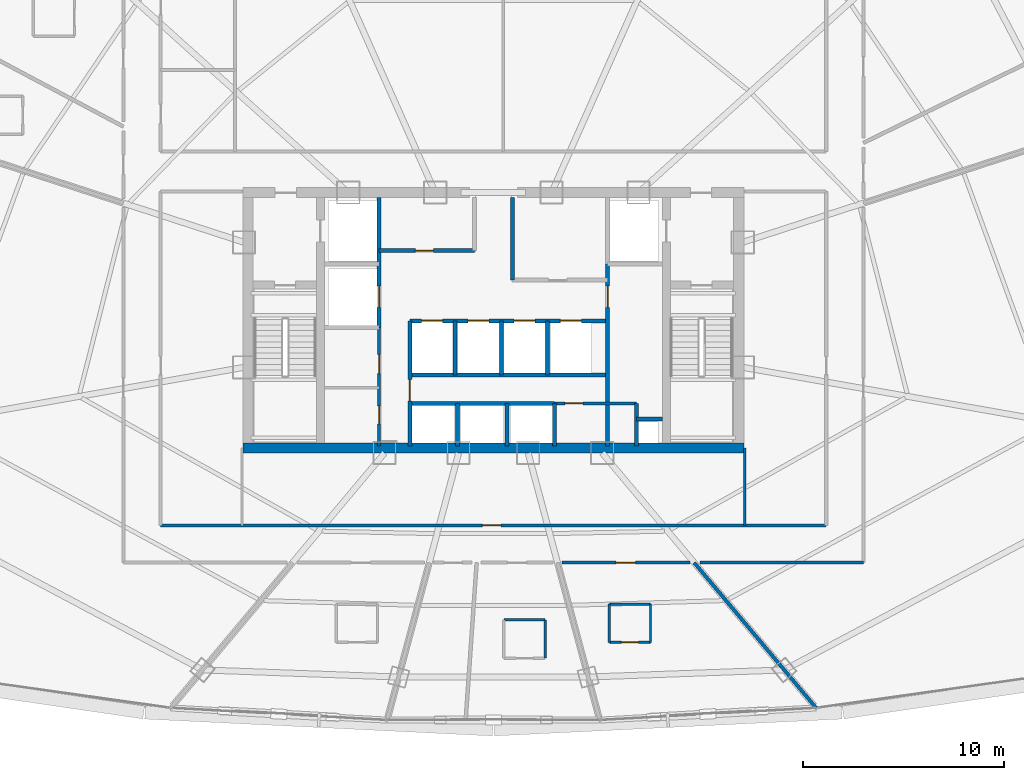
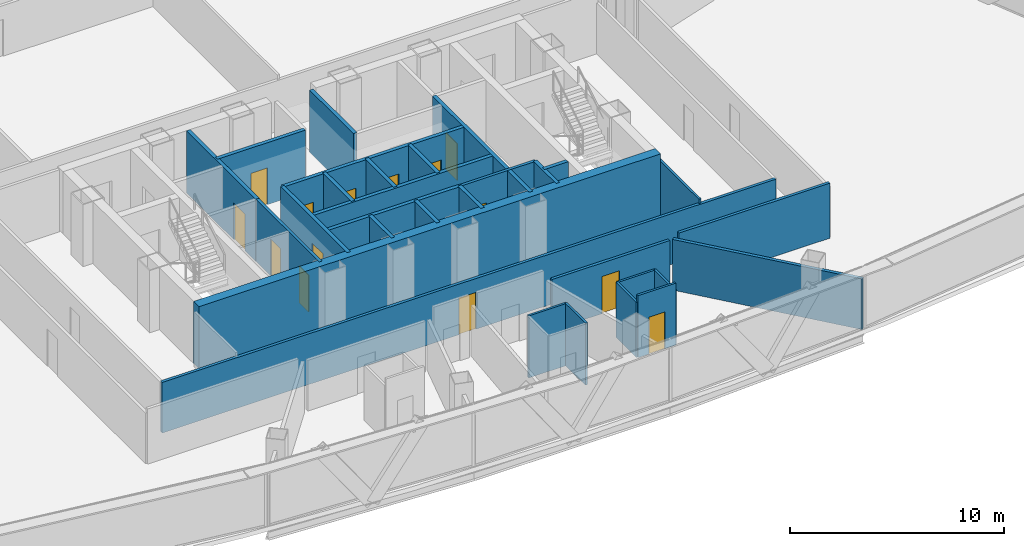
# One storey, part 33 of 40: 30 walls, 14 doors, 14 openings.
"""IFC4 building model written with IfcOpenShell, lengths in metres."""

from ifc_helpers import new_model, si_unit, direction, frame, frame_2d, origin, origin_with_axes, place, context, subcontext, project, spatial, rectangle, extrude, source, transform, mapped, material, layer, layer_set, type_object, element, fill, save


model = new_model("IFC4")

# Units and contexts
model_context = context("Model", 3, precision=1e-05, world=origin(), true_north=direction((0.0, 1.0)))
body_context = subcontext(model_context, "Body", "Model", "MODEL_VIEW")
ifc_project = project(units=[si_unit("LENGTHUNIT", "METRE"), si_unit("AREAUNIT", "SQUARE_METRE"), si_unit("VOLUMEUNIT", "CUBIC_METRE"), si_unit("PLANEANGLEUNIT", "RADIAN"), si_unit("MASSUNIT", "GRAM", prefix="KILO"), si_unit("THERMODYNAMICTEMPERATUREUNIT", "KELVIN"), si_unit("POWERUNIT", "WATT")], contexts=[model_context])

# Site, building, storey
site_placement = place(None, origin())
site = spatial("IfcSite", under=ifc_project, at=site_placement, CompositionType="ELEMENT")
building_placement = place(site_placement, origin())
building = spatial("IfcBuilding", under=site, at=building_placement, Name="Yunzhuo Pagoda Commons", CompositionType="ELEMENT")
storey_placement = place(building_placement, frame((0.0, 0.0, 184.760009765625)))
storey = spatial("IfcBuildingStorey", under=building, at=storey_placement, Name="L46", CompositionType="ELEMENT", Elevation=184.760009765625)

# Wall
ifc_material_1 = material(Name="Concrete C50", Category="concrete")
ifc_layer_1 = layer(ifc_material_1, 0.5)
ifc_layer_set_1 = layer_set([ifc_layer_1], Name="Concrete C50")
wall_type_1 = type_object("IfcWallType", Name="W-C03 Upper Core Shear Wall 500", PredefinedType="SHEAR", material=ifc_layer_set_1)
wall_1_placement = place(storey_placement, frame((35.550048828125, 27.5, 0.0), z_axis=(0.0, 0.0, 1.0), x_axis=(1.0, 0.0, 0.0)))
element("IfcWall", 1, at=wall_1_placement, inside=storey, type_object=wall_type_1, Name="L46 core shear wall S", PredefinedType="SHEAR", context=body_context, shape_type="SweptSolid", body=[
    extrude(rectangle(XDim=24.89990234375, YDim=0.5, at=frame_2d((12.449951171875, 0.0))), origin(), (0.0, 0.0, 1.0), 3.5400390625),
])

# Wall, openings, doors
ifc_material_2 = material(Name="Gypsum plasterboard on acoustic stud")
ifc_layer_2 = layer(ifc_material_2, 0.155029296875)
ifc_layer_set_2 = layer_set([ifc_layer_2], Name="Gypsum plasterboard on acoustic stud")
wall_type_2 = type_object("IfcWallType", Name="W-COR2 Mid-Zone Rated Corridor Wall 155", PredefinedType="PARTITIONING", material=ifc_layer_set_2)
wall_2_placement = place(storey_placement, frame((42.320068359375, 27.60009765625, 0.0), z_axis=(0.0, 0.0, 1.0), x_axis=(0.0, 1.0, 0.0)))
wall_2 = element("IfcWall", 2, at=wall_2_placement, inside=storey, type_object=wall_type_2, Name="L46 interior wall IW-L46-CSWE", PredefinedType="PARTITIONING", context=body_context, shape_type="SweptSolid", body=[
    extrude(rectangle(XDim=5.89990234375, YDim=0.155029296875, at=frame_2d((2.949951171875, 0.0))), origin(), (0.0, 0.0, 1.0), 3.5400390625),
])
opening_1_placement = place(wall_2_placement, frame((1.10009765625, 0.0, 0.0)))
opening_1 = element("IfcOpeningElement", 3, at=opening_1_placement, cuts=wall_2, Name="Opening D-03", PredefinedType="OPENING", context=body_context, shape_type="SweptSolid", body=[
    extrude(rectangle(XDim=0.89990234375, YDim=2.10009765625, at=frame_2d((0.449951171875, 1.050048828125))), frame((0.0, 0.08740234375, 0.0), z_axis=(0.0, -1.0, 0.0), x_axis=(1.0, 0.0, 0.0)), (0.0, 0.0, 1.0), 0.175048828125),
])
opening_2_placement = place(wall_2_placement, frame((3.60009765625, 0.0, 0.0)))
opening_2 = element("IfcOpeningElement", 4, at=opening_2_placement, cuts=wall_2, Name="Opening D-11", PredefinedType="OPENING", context=body_context, shape_type="SweptSolid", body=[
    extrude(rectangle(XDim=0.93994140625, YDim=2.10009765625, at=frame_2d((0.469970703125, 1.050048828125))), frame((0.0, 0.08740234375, 0.0), z_axis=(0.0, -1.0, 0.0), x_axis=(1.0, 0.0, 0.0)), (0.0, 0.0, 1.0), 0.175048828125),
])
ifc_material_3 = material(Name="Galvanized fire-resisting metal leaf")
door_type_1 = type_object("IfcDoorType", Name="D-03 Core Service Fire Door 900x2100", OperationType="NOTDEFINED", PredefinedType="DOOR", material=ifc_material_3)
shared_shape_1 = source(origin(), body_context, "Body", "SweptSolid", [
    extrude(rectangle(XDim=0.89990234375, YDim=2.10009765625, at=frame_2d((0.449951171875, 1.050048828125))), frame((0.0, 0.02490234375, 0.0), z_axis=(0.0, -1.0, 0.0), x_axis=(1.0, 0.0, 0.0)), (0.0, 0.0, 1.0), 0.050048828125),
])
door_1_placement = place(opening_1_placement, origin_with_axes())
door_1 = element("IfcDoor", 5, at=door_1_placement, inside=storey, type_object=door_type_1, Name="L46 housekeeping door", OperationType="SINGLE_SWING_RIGHT", OverallHeight=2.10009765625, OverallWidth=0.89990234375, PredefinedType="DOOR", context=body_context, shape_type="MappedRepresentation", body=[
    mapped(shared_shape_1, transform((0.0, 0.0, 0.0), scale=1.0)),
])
fill(opening_1, door_1)
door_type_2 = type_object("IfcDoorType", Name="D-11 Accessible Washroom Fire Door 940x2100", OperationType="NOTDEFINED", PredefinedType="DOOR", material=ifc_material_3)
shared_shape_2 = source(origin(), body_context, "Body", "SweptSolid", [
    extrude(rectangle(XDim=0.93994140625, YDim=2.10009765625, at=frame_2d((0.469970703125, 1.050048828125))), frame((0.0, 0.02490234375, 0.0), z_axis=(0.0, -1.0, 0.0), x_axis=(1.0, 0.0, 0.0)), (0.0, 0.0, 1.0), 0.050048828125),
])
door_2_placement = place(opening_2_placement, origin_with_axes())
door_2 = element("IfcDoor", 6, at=door_2_placement, inside=storey, type_object=door_type_2, Name="L46 core WC door", OperationType="SINGLE_SWING_RIGHT", OverallHeight=2.10009765625, OverallWidth=0.93994140625, PredefinedType="DOOR", context=body_context, shape_type="MappedRepresentation", body=[
    mapped(shared_shape_2, transform((0.0, 0.0, 0.0), scale=1.0)),
])
fill(opening_2, door_2)

# Wall, opening, door
wall_3_placement = place(storey_placement, frame((51.050048828125, 29.719970703125, 0.0), z_axis=(0.0, 0.0, 1.0), x_axis=(1.0, 0.0, 0.0)))
wall_3 = element("IfcWall", 7, at=wall_3_placement, inside=storey, type_object=wall_type_2, Name="L46 interior wall IW-L46-CSES", PredefinedType="PARTITIONING", context=body_context, shape_type="SweptSolid", body=[
    extrude(rectangle(XDim=4.070068359375, YDim=0.155029296875, at=frame_2d((2.03515625, 0.0))), origin(), (0.0, 0.0, 1.0), 3.5400390625),
])
opening_3_placement = place(wall_3_placement, frame((0.5, 0.0, 0.0)))
opening_3 = element("IfcOpeningElement", 8, at=opening_3_placement, cuts=wall_3, Name="Opening D-03", PredefinedType="OPENING", context=body_context, shape_type="SweptSolid", body=[
    extrude(rectangle(XDim=0.89990234375, YDim=2.10009765625, at=frame_2d((0.449951171875, 1.050048828125))), frame((0.0, 0.08740234375, 0.0), z_axis=(0.0, -1.0, 0.0), x_axis=(1.0, 0.0, 0.0)), (0.0, 0.0, 1.0), 0.175048828125),
])
door_3_placement = place(opening_3_placement, origin_with_axes())
door_3 = element("IfcDoor", 9, at=door_3_placement, inside=storey, type_object=door_type_1, Name="L46 IT closet door", OperationType="SINGLE_SWING_LEFT", OverallHeight=2.10009765625, OverallWidth=0.89990234375, PredefinedType="DOOR", context=body_context, shape_type="MappedRepresentation", body=[
    mapped(shared_shape_1, transform((0.0, 0.0, 0.0), scale=1.0)),
])
fill(opening_3, door_3)

wall_4_placement = place(storey_placement, frame((31.449951171875, 23.64990234375, 0.0), z_axis=(0.0, 0.0, 1.0), x_axis=(1.0, 0.0, 0.0)))
wall_4 = element("IfcWall", 10, at=wall_4_placement, inside=storey, type_object=wall_type_2, Name="L46 interior wall IW-L46-SFLS", PredefinedType="PARTITIONING", context=body_context, shape_type="SweptSolid", body=[
    extrude(rectangle(XDim=33.10009765625, YDim=0.155029296875, at=frame_2d((16.550048828125, 0.0))), origin(), (0.0, 0.0, 1.0), 2.889892578125),
])
opening_4_placement = place(wall_4_placement, frame((16.0, 0.0, 0.0)))
opening_4 = element("IfcOpeningElement", 11, at=opening_4_placement, cuts=wall_4, Name="Opening D-04", PredefinedType="OPENING", context=body_context, shape_type="SweptSolid", body=[
    extrude(rectangle(XDim=0.919921875, YDim=2.10009765625, at=frame_2d((0.4599609375, 1.050048828125))), frame((0.0, 0.08740234375, 0.0), z_axis=(0.0, -1.0, 0.0), x_axis=(1.0, 0.0, 0.0)), (0.0, 0.0, 1.0), 0.175048828125),
])
ifc_material_4 = material(Name="Powder-coated aluminium and timber acoustic leaf", Category="wood")
door_type_3 = type_object("IfcDoorType", Name="D-04 Bedroom & Study Interior Door 920x2100", OperationType="NOTDEFINED", PredefinedType="DOOR", material=ifc_material_4)
shared_shape_3 = source(origin(), body_context, "Body", "SweptSolid", [
    extrude(rectangle(XDim=0.919921875, YDim=2.10009765625, at=frame_2d((0.4599609375, 1.050048828125))), frame((0.0, 0.02490234375, 0.0), z_axis=(0.0, -1.0, 0.0), x_axis=(1.0, 0.0, 0.0)), (0.0, 0.0, 1.0), 0.050048828125),
])
door_4_placement = place(opening_4_placement, frame((0.919921875, 0.0, 0.0), z_axis=(0.0, 0.0, 1.0), x_axis=(-1.0, 0.0, 0.0)))
door_4 = element("IfcDoor", 12, at=door_4_placement, inside=storey, type_object=door_type_3, Name="L46 south seminar room door", OperationType="SINGLE_SWING_RIGHT", OverallHeight=2.10009765625, OverallWidth=0.919921875, PredefinedType="DOOR", context=body_context, shape_type="MappedRepresentation", body=[
    mapped(shared_shape_3, transform((0.0, 0.0, 0.0), scale=1.0)),
])
fill(opening_4, door_4)

# Wall
wall_5_placement = place(storey_placement, frame((66.39990234375, 21.800048828125, 0.0), z_axis=(0.0, 0.0, 1.0), x_axis=(-1.0, 0.0, 0.0)))
element("IfcWall", 13, at=wall_5_placement, inside=storey, type_object=wall_type_2, Name="L46 interior wall IW-L46-CWL13", PredefinedType="PARTITIONING", context=body_context, shape_type="SweptSolid", body=[
    extrude(rectangle(XDim=8.12744140625, YDim=0.155029296875, at=frame_2d((4.063720703125, 0.0))), origin(), (0.0, 0.0, 1.0), 3.139892578125),
])

# Wall, opening, door
wall_6_placement = place(storey_placement, frame((57.765380859375, 21.800048828125, 0.0), z_axis=(0.0, 0.0, 1.0), x_axis=(-1.0, 0.0, 0.0)))
wall_6 = element("IfcWall", 14, at=wall_6_placement, inside=storey, type_object=wall_type_2, Name="L46 interior wall IW-L46-CWL14", PredefinedType="PARTITIONING", context=body_context, shape_type="SweptSolid", body=[
    extrude(rectangle(XDim=6.348876953125, YDim=0.155029296875, at=frame_2d((3.17431640625, 0.0))), origin(), (0.0, 0.0, 1.0), 2.889892578125),
])
opening_5_placement = place(wall_6_placement, frame((2.703369140625, 0.0, 0.0)))
opening_5 = element("IfcOpeningElement", 15, at=opening_5_placement, cuts=wall_6, Name="Opening D-07", PredefinedType="OPENING", context=body_context, shape_type="SweptSolid", body=[
    extrude(rectangle(XDim=0.9599609375, YDim=2.1201171875, at=frame_2d((0.47998046875, 1.06005859375))), frame((0.0, 0.08740234375, 0.0), z_axis=(0.0, -1.0, 0.0), x_axis=(1.0, 0.0, 0.0)), (0.0, 0.0, 1.0), 0.175048828125),
])
door_type_4 = type_object("IfcDoorType", Name="D-07 Mid-Zone Suite Entrance Fire Door 960x2120", OperationType="NOTDEFINED", PredefinedType="DOOR", material=ifc_material_3)
shared_shape_4 = source(origin(), body_context, "Body", "SweptSolid", [
    extrude(rectangle(XDim=0.9599609375, YDim=2.1201171875, at=frame_2d((0.47998046875, 1.06005859375))), frame((0.0, 0.02490234375, 0.0), z_axis=(0.0, -1.0, 0.0), x_axis=(1.0, 0.0, 0.0)), (0.0, 0.0, 1.0), 0.050048828125),
])
door_5_placement = place(opening_5_placement, origin_with_axes())
door_5 = element("IfcDoor", 16, at=door_5_placement, inside=storey, type_object=door_type_4, Name="L46 unit 12 entrance door", OperationType="SINGLE_SWING_RIGHT", OverallHeight=2.1201171875, OverallWidth=0.9599609375, PredefinedType="DOOR", context=body_context, shape_type="MappedRepresentation", body=[
    mapped(shared_shape_4, transform((0.0, 0.0, 0.0), scale=1.0)),
])
fill(opening_5, door_5)

# Walls
ifc_layer_3 = layer(ifc_material_2, 0.1201171875)
ifc_layer_set_3 = layer_set([ifc_layer_3], Name="Gypsum plasterboard on acoustic stud")
wall_type_3 = type_object("IfcWallType", Name="W-PRT1 Suite & Bathroom Partition 120", PredefinedType="PARTITIONING", material=ifc_layer_set_3)
wall_7_placement = place(storey_placement, frame((60.5, 23.64990234375, 0.0), z_axis=(0.0, 0.0, 1.0), x_axis=(0.0, 1.0, 0.0)))
element("IfcWall", 17, at=wall_7_placement, inside=storey, type_object=wall_type_3, Name="L46 interior wall IW-L46-SFLD2", PredefinedType="PARTITIONING", context=body_context, shape_type="SweptSolid", body=[
    extrude(rectangle(XDim=3.85009765625, YDim=0.1201171875, at=frame_2d((1.925048828125, 0.0))), origin(), (0.0, 0.0, 1.0), 3.139892578125),
])
wall_8_placement = place(storey_placement, frame((50.574951171875, 17.054931640625, 0.0), z_axis=(0.0, 0.0, 1.0), x_axis=(0.0, 1.0, 0.0)))
element("IfcWall", 18, at=wall_8_placement, inside=storey, type_object=wall_type_3, Name="L46 interior wall IW-L46-B11E", PredefinedType="PARTITIONING", context=body_context, shape_type="SweptSolid", body=[
    extrude(rectangle(XDim=1.900146484375, YDim=0.1201171875, at=frame_2d((0.9501953125, 0.0))), origin(), (0.0, 0.0, 1.0), 3.5400390625),
])
wall_9_placement = place(storey_placement, frame((50.574951171875, 18.955078125, 0.0), z_axis=(0.0, 0.0, 1.0), x_axis=(-1.0, 0.0, 0.0)))
element("IfcWall", 19, at=wall_9_placement, inside=storey, type_object=wall_type_3, Name="L46 interior wall IW-L46-B11N", PredefinedType="PARTITIONING", context=body_context, shape_type="SweptSolid", body=[
    extrude(rectangle(XDim=2.050048828125, YDim=0.1201171875, at=frame_2d((1.02490234375, 0.0))), origin(), (0.0, 0.0, 1.0), 3.5400390625),
])

# Wall, opening, door
wall_10_placement = place(storey_placement, frame((53.762939453125, 17.833984375, 0.0), z_axis=(0.0, 0.0, 1.0), x_axis=(1.0, 0.0, 0.0)))
wall_10 = element("IfcWall", 20, at=wall_10_placement, inside=storey, type_object=wall_type_3, Name="L46 interior wall IW-L46-B12S", PredefinedType="PARTITIONING", context=body_context, shape_type="SweptSolid", body=[
    extrude(rectangle(XDim=2.050048828125, YDim=0.1201171875, at=frame_2d((1.02490234375, 0.0))), origin(), (0.0, 0.0, 1.0), 3.5400390625),
])
opening_6_placement = place(wall_10_placement, frame((0.60009765625, 0.0, 0.0)))
opening_6 = element("IfcOpeningElement", 21, at=opening_6_placement, cuts=wall_10, Name="Opening D-05", PredefinedType="OPENING", context=body_context, shape_type="SweptSolid", body=[
    extrude(rectangle(XDim=0.85009765625, YDim=2.10009765625, at=frame_2d((0.425048828125, 1.050048828125))), frame((0.0, 0.070068359375, 0.0), z_axis=(0.0, -1.0, 0.0), x_axis=(1.0, 0.0, 0.0)), (0.0, 0.0, 1.0), 0.14013671875),
])
door_type_5 = type_object("IfcDoorType", Name="D-05 En-Suite Bathroom Door 850x2100", OperationType="NOTDEFINED", PredefinedType="DOOR", material=ifc_material_4)
shared_shape_5 = source(origin(), body_context, "Body", "SweptSolid", [
    extrude(rectangle(XDim=0.85009765625, YDim=2.10009765625, at=frame_2d((0.425048828125, 1.050048828125))), frame((0.0, 0.02490234375, 0.0), z_axis=(0.0, -1.0, 0.0), x_axis=(1.0, 0.0, 0.0)), (0.0, 0.0, 1.0), 0.050048828125),
])
door_6_placement = place(opening_6_placement, frame((0.85009765625, 0.0, 0.0), z_axis=(0.0, 0.0, 1.0), x_axis=(-1.0, 0.0, 0.0)))
door_6 = element("IfcDoor", 22, at=door_6_placement, inside=storey, type_object=door_type_5, Name="L46 unit 12 bathroom door", OperationType="SINGLE_SWING_RIGHT", OverallHeight=2.10009765625, OverallWidth=0.85009765625, PredefinedType="DOOR", context=body_context, shape_type="MappedRepresentation", body=[
    mapped(shared_shape_5, transform((0.0, 0.0, 0.0), scale=1.0)),
])
fill(opening_6, door_6)

# Walls
wall_11_placement = place(storey_placement, frame((55.81298828125, 17.833984375, 0.0), z_axis=(0.0, 0.0, 1.0), x_axis=(0.0, 1.0, 0.0)))
element("IfcWall", 23, at=wall_11_placement, inside=storey, type_object=wall_type_3, Name="L46 interior wall IW-L46-B12E", PredefinedType="PARTITIONING", context=body_context, shape_type="SweptSolid", body=[
    extrude(rectangle(XDim=1.89990234375, YDim=0.1201171875, at=frame_2d((0.949951171875, 0.0))), origin(), (0.0, 0.0, 1.0), 3.139892578125),
])
wall_12_placement = place(storey_placement, frame((55.81298828125, 19.73388671875, 0.0), z_axis=(0.0, 0.0, 1.0), x_axis=(-1.0, 0.0, 0.0)))
element("IfcWall", 24, at=wall_12_placement, inside=storey, type_object=wall_type_3, Name="L46 interior wall IW-L46-B12N", PredefinedType="PARTITIONING", context=body_context, shape_type="SweptSolid", body=[
    extrude(rectangle(XDim=2.050048828125, YDim=0.1201171875, at=frame_2d((1.02490234375, 0.0))), origin(), (0.0, 0.0, 1.0), 3.139892578125),
])
wall_13_placement = place(storey_placement, frame((53.762939453125, 19.73388671875, 0.0), z_axis=(0.0, 0.0, 1.0), x_axis=(0.0, -1.0, 0.0)))
element("IfcWall", 25, at=wall_13_placement, inside=storey, type_object=wall_type_3, Name="L46 interior wall IW-L46-B12W", PredefinedType="PARTITIONING", context=body_context, shape_type="SweptSolid", body=[
    extrude(rectangle(XDim=1.89990234375, YDim=0.1201171875, at=frame_2d((0.949951171875, 0.0))), origin(), (0.0, 0.0, 1.0), 3.139892578125),
])
ifc_layer_4 = layer(ifc_material_2, 0.175048828125)
ifc_layer_set_4 = layer_set([ifc_layer_4], Name="Gypsum plasterboard on acoustic stud")
wall_type_4 = type_object("IfcWallType", Name="W-PRT3 Mid-Zone Demising Wall 175", PredefinedType="PARTITIONING", material=ifc_layer_set_4)
wall_14_placement = place(storey_placement, frame((57.9853515625, 21.800048828125, 0.0), z_axis=(0.0, 0.0, 1.0), x_axis=(0.642777943688, -0.766052553751, 0.0)))
element("IfcWall", 26, at=wall_14_placement, inside=storey, type_object=wall_type_4, Name="L46 interior wall IW-L46-RAD13", PredefinedType="PARTITIONING", context=body_context, shape_type="SweptSolid", body=[
    extrude(rectangle(XDim=9.430908203125, YDim=0.175048828125, at=frame_2d((4.71533203125, 0.0))), origin(), (0.0, 0.0, 1.0), 2.889892578125),
])

# Wall, opening, door
ifc_material_5 = material(Name="Concrete C40", Category="concrete")
ifc_layer_5 = layer(ifc_material_5, 0.199951171875)
ifc_layer_set_5 = layer_set([ifc_layer_5], Name="Concrete C40")
wall_type_5 = type_object("IfcWallType", Name="W-SHF Shaft & Stair Enclosure Wall 200", PredefinedType="SOLIDWALL", material=ifc_layer_set_5)
wall_15_placement = place(storey_placement, frame((42.320068359375, 33.5, 0.0), z_axis=(0.0, 0.0, 1.0), x_axis=(0.0, 1.0, 0.0)))
wall_15 = element("IfcWall", 27, at=wall_15_placement, inside=storey, type_object=wall_type_5, Name="L46 interior wall IW-L46-FL1E", PredefinedType="SOLIDWALL", context=body_context, shape_type="SweptSolid", body=[
    extrude(rectangle(XDim=6.449951171875, YDim=0.199951171875, at=frame_2d((3.22509765625, 0.0))), origin(), (0.0, 0.0, 1.0), 3.5400390625),
])
opening_7_placement = place(wall_15_placement, frame((1.0, 0.0, 0.0)))
opening_7 = element("IfcOpeningElement", 28, at=opening_7_placement, cuts=wall_15, Name="Opening LD-02", PredefinedType="OPENING", context=body_context, shape_type="SweptSolid", body=[
    extrude(rectangle(XDim=1.050048828125, YDim=2.10009765625, at=frame_2d((0.52490234375, 1.050048828125))), frame((0.0, 0.10986328125, 0.0), z_axis=(0.0, -1.0, 0.0), x_axis=(1.0, 0.0, 0.0)), (0.0, 0.0, 1.0), 0.219970703125),
])
door_type_6 = type_object("IfcDoorType", Name="LD-02 Passenger Lift Landing Door 1050x2100", OperationType="DOUBLE_DOOR_SLIDING", PredefinedType="DOOR", material=ifc_material_3)
shared_shape_6 = source(origin(), body_context, "Body", "SweptSolid", [
    extrude(rectangle(XDim=1.050048828125, YDim=2.10009765625, at=frame_2d((0.52490234375, 1.050048828125))), frame((0.0, 0.02490234375, 0.0), z_axis=(0.0, -1.0, 0.0), x_axis=(1.0, 0.0, 0.0)), (0.0, 0.0, 1.0), 0.050048828125),
])
door_7_placement = place(opening_7_placement, origin_with_axes())
door_7 = element("IfcDoor", 29, at=door_7_placement, inside=storey, type_object=door_type_6, Name="L46 Service lift SL-1 landing door", OperationType="DOUBLE_DOOR_SLIDING", OverallHeight=2.10009765625, OverallWidth=1.050048828125, PredefinedType="DOOR", context=body_context, shape_type="MappedRepresentation", body=[
    mapped(shared_shape_6, transform((0.0, 0.0, 0.0), scale=1.0)),
])
fill(opening_7, door_7)

wall_16_placement = place(storey_placement, frame((42.320068359375, 37.320068359375, 0.0), z_axis=(0.0, 0.0, 1.0), x_axis=(1.0, 0.0, 0.0)))
wall_16 = element("IfcWall", 30, at=wall_16_placement, inside=storey, type_object=wall_type_5, Name="L46 interior wall IW-L46-LBNW", PredefinedType="SOLIDWALL", context=body_context, shape_type="SweptSolid", body=[
    extrude(rectangle(XDim=4.72998046875, YDim=0.199951171875, at=frame_2d((2.364990234375, 0.0))), origin(), (0.0, 0.0, 1.0), 3.5400390625),
])
opening_8_placement = place(wall_16_placement, frame((1.800048828125, 0.0, 0.0)))
opening_8 = element("IfcOpeningElement", 31, at=opening_8_placement, cuts=wall_16, Name="Opening D-03", PredefinedType="OPENING", context=body_context, shape_type="SweptSolid", body=[
    extrude(rectangle(XDim=0.89990234375, YDim=2.10009765625, at=frame_2d((0.449951171875, 1.050048828125))), frame((0.0, 0.10986328125, 0.0), z_axis=(0.0, -1.0, 0.0), x_axis=(1.0, 0.0, 0.0)), (0.0, 0.0, 1.0), 0.219970703125),
])
door_8_placement = place(opening_8_placement, frame((0.89990234375, 0.0, 0.0), z_axis=(0.0, 0.0, 1.0), x_axis=(-1.0, 0.0, 0.0)))
door_8 = element("IfcDoor", 32, at=door_8_placement, inside=storey, type_object=door_type_1, Name="L46 core west store door", OperationType="SINGLE_SWING_LEFT", OverallHeight=2.10009765625, OverallWidth=0.89990234375, PredefinedType="DOOR", context=body_context, shape_type="MappedRepresentation", body=[
    mapped(shared_shape_1, transform((0.0, 0.0, 0.0), scale=1.0)),
])
fill(opening_8, door_8)

# Wall
wall_17_placement = place(storey_placement, frame((48.949951171875, 35.85009765625, 0.0), z_axis=(0.0, 0.0, 1.0), x_axis=(0.0, 1.0, 0.0)))
element("IfcWall", 33, at=wall_17_placement, inside=storey, type_object=wall_type_5, Name="L46 interior wall IW-L46-THRE", PredefinedType="SOLIDWALL", context=body_context, shape_type="SweptSolid", body=[
    extrude(rectangle(XDim=4.099853515625, YDim=0.199951171875, at=frame_2d((2.0498046875, 0.0))), origin(), (0.0, 0.0, 1.0), 3.5400390625),
])

# Wall, openings, doors
wall_18_placement = place(storey_placement, frame((43.85009765625, 33.820068359375, 0.0), z_axis=(0.0, 0.0, 1.0), x_axis=(1.0, 0.0, 0.0)))
wall_18 = element("IfcWall", 34, at=wall_18_placement, inside=storey, type_object=wall_type_5, Name="L46 interior wall IW-L46-MLBS", PredefinedType="SOLIDWALL", context=body_context, shape_type="SweptSolid", body=[
    extrude(rectangle(XDim=9.829833984375, YDim=0.199951171875, at=frame_2d((4.9150390625, 0.0))), origin(), (0.0, 0.0, 1.0), 3.5400390625),
])
opening_9_placement = place(wall_18_placement, frame((0.574951171875, 0.0, 0.0)))
opening_9 = element("IfcOpeningElement", 35, at=opening_9_placement, cuts=wall_18, Name="Opening LD-02", PredefinedType="OPENING", context=body_context, shape_type="SweptSolid", body=[
    extrude(rectangle(XDim=1.050048828125, YDim=2.10009765625, at=frame_2d((0.52490234375, 1.050048828125))), frame((0.0, 0.10986328125, 0.0), z_axis=(0.0, -1.0, 0.0), x_axis=(1.0, 0.0, 0.0)), (0.0, 0.0, 1.0), 0.219970703125),
])
opening_10_placement = place(wall_18_placement, frame((2.875, 0.0, 0.0)))
opening_10 = element("IfcOpeningElement", 36, at=opening_10_placement, cuts=wall_18, Name="Opening LD-02", PredefinedType="OPENING", context=body_context, shape_type="SweptSolid", body=[
    extrude(rectangle(XDim=1.050048828125, YDim=2.10009765625, at=frame_2d((0.52490234375, 1.050048828125))), frame((0.0, 0.10986328125, 0.0), z_axis=(0.0, -1.0, 0.0), x_axis=(1.0, 0.0, 0.0)), (0.0, 0.0, 1.0), 0.219970703125),
])
opening_11_placement = place(wall_18_placement, frame((5.175048828125, 0.0, 0.0)))
opening_11 = element("IfcOpeningElement", 37, at=opening_11_placement, cuts=wall_18, Name="Opening LD-02", PredefinedType="OPENING", context=body_context, shape_type="SweptSolid", body=[
    extrude(rectangle(XDim=1.050048828125, YDim=2.10009765625, at=frame_2d((0.52490234375, 1.050048828125))), frame((0.0, 0.10986328125, 0.0), z_axis=(0.0, -1.0, 0.0), x_axis=(1.0, 0.0, 0.0)), (0.0, 0.0, 1.0), 0.219970703125),
])
opening_12_placement = place(wall_18_placement, frame((7.47509765625, 0.0, 0.0)))
opening_12 = element("IfcOpeningElement", 38, at=opening_12_placement, cuts=wall_18, Name="Opening LD-02", PredefinedType="OPENING", context=body_context, shape_type="SweptSolid", body=[
    extrude(rectangle(XDim=1.050048828125, YDim=2.10009765625, at=frame_2d((0.52490234375, 1.050048828125))), frame((0.0, 0.10986328125, 0.0), z_axis=(0.0, -1.0, 0.0), x_axis=(1.0, 0.0, 0.0)), (0.0, 0.0, 1.0), 0.219970703125),
])
door_9_placement = place(opening_9_placement, origin_with_axes())
door_9 = element("IfcDoor", 39, at=door_9_placement, inside=storey, type_object=door_type_6, Name="L46 Passenger lift PL-M1 landing door", OperationType="DOUBLE_DOOR_SLIDING", OverallHeight=2.10009765625, OverallWidth=1.050048828125, PredefinedType="DOOR", context=body_context, shape_type="MappedRepresentation", body=[
    mapped(shared_shape_6, transform((0.0, 0.0, 0.0), scale=1.0)),
])
fill(opening_9, door_9)
door_10_placement = place(opening_10_placement, origin_with_axes())
door_10 = element("IfcDoor", 40, at=door_10_placement, inside=storey, type_object=door_type_6, Name="L46 Passenger lift PL-M2 landing door", OperationType="DOUBLE_DOOR_SLIDING", OverallHeight=2.10009765625, OverallWidth=1.050048828125, PredefinedType="DOOR", context=body_context, shape_type="MappedRepresentation", body=[
    mapped(shared_shape_6, transform((0.0, 0.0, 0.0), scale=1.0)),
])
fill(opening_10, door_10)
door_11_placement = place(opening_11_placement, origin_with_axes())
door_11 = element("IfcDoor", 41, at=door_11_placement, inside=storey, type_object=door_type_6, Name="L46 Passenger lift PL-M3 landing door", OperationType="DOUBLE_DOOR_SLIDING", OverallHeight=2.10009765625, OverallWidth=1.050048828125, PredefinedType="DOOR", context=body_context, shape_type="MappedRepresentation", body=[
    mapped(shared_shape_6, transform((0.0, 0.0, 0.0), scale=1.0)),
])
fill(opening_11, door_11)
door_12_placement = place(opening_12_placement, origin_with_axes())
door_12 = element("IfcDoor", 42, at=door_12_placement, inside=storey, type_object=door_type_6, Name="L46 Passenger lift PL-M4 landing door", OperationType="DOUBLE_DOOR_SLIDING", OverallHeight=2.10009765625, OverallWidth=1.050048828125, PredefinedType="DOOR", context=body_context, shape_type="MappedRepresentation", body=[
    mapped(shared_shape_6, transform((0.0, 0.0, 0.0), scale=1.0)),
])
fill(opening_12, door_12)

# Wall, opening, door
wall_19_placement = place(storey_placement, frame((43.85009765625, 27.60009765625, 0.0), z_axis=(0.0, 0.0, 1.0), x_axis=(0.0, 1.0, 0.0)))
wall_19 = element("IfcWall", 43, at=wall_19_placement, inside=storey, type_object=wall_type_5, Name="L46 interior wall IW-L46-PLMW", PredefinedType="SOLIDWALL", context=body_context, shape_type="SweptSolid", body=[
    extrude(rectangle(XDim=6.219970703125, YDim=0.199951171875, at=frame_2d((3.10986328125, 0.0))), origin(), (0.0, 0.0, 1.0), 3.5400390625),
])
opening_13_placement = place(wall_19_placement, frame((2.25, 0.0, 0.0)))
opening_13 = element("IfcOpeningElement", 44, at=opening_13_placement, cuts=wall_19, Name="Opening D-02", PredefinedType="OPENING", context=body_context, shape_type="SweptSolid", body=[
    extrude(rectangle(XDim=1.050048828125, YDim=2.10009765625, at=frame_2d((0.52490234375, 1.050048828125))), frame((0.0, 0.10986328125, 0.0), z_axis=(0.0, -1.0, 0.0), x_axis=(1.0, 0.0, 0.0)), (0.0, 0.0, 1.0), 0.219970703125),
])
door_type_7 = type_object("IfcDoorType", Name="D-02 Firefighting Lobby & Refuge Fire Door 1050x2100", OperationType="NOTDEFINED", PredefinedType="DOOR", material=ifc_material_3)
door_13_placement = place(opening_13_placement, frame((1.050048828125, 0.0, 0.0), z_axis=(0.0, 0.0, 1.0), x_axis=(-1.0, 0.0, 0.0)))
door_13 = element("IfcDoor", 45, at=door_13_placement, inside=storey, type_object=door_type_7, Name="L46 High-bank hall west door", OperationType="SINGLE_SWING_LEFT", OverallHeight=2.10009765625, OverallWidth=1.050048828125, PredefinedType="DOOR", context=body_context, shape_type="MappedRepresentation", body=[
    mapped(shared_shape_6, transform((0.0, 0.0, 0.0), scale=1.0)),
])
fill(opening_13, door_13)

wall_20_placement = place(storey_placement, frame((53.679931640625, 27.60009765625, 0.0), z_axis=(0.0, 0.0, 1.0), x_axis=(0.0, 1.0, 0.0)))
wall_20 = element("IfcWall", 46, at=wall_20_placement, inside=storey, type_object=wall_type_5, Name="L46 interior wall IW-L46-PLME", PredefinedType="SOLIDWALL", context=body_context, shape_type="SweptSolid", body=[
    extrude(rectangle(XDim=9.0498046875, YDim=0.199951171875, at=frame_2d((4.52490234375, 0.0))), origin(), (0.0, 0.0, 1.0), 3.5400390625),
])
opening_14_placement = place(wall_20_placement, frame((6.89990234375, 0.0, 0.0)))
opening_14 = element("IfcOpeningElement", 47, at=opening_14_placement, cuts=wall_20, Name="Opening D-02", PredefinedType="OPENING", context=body_context, shape_type="SweptSolid", body=[
    extrude(rectangle(XDim=1.050048828125, YDim=2.10009765625, at=frame_2d((0.52490234375, 1.050048828125))), frame((0.0, 0.10986328125, 0.0), z_axis=(0.0, -1.0, 0.0), x_axis=(1.0, 0.0, 0.0)), (0.0, 0.0, 1.0), 0.219970703125),
])
door_14_placement = place(opening_14_placement, origin_with_axes())
door_14 = element("IfcDoor", 48, at=door_14_placement, inside=storey, type_object=door_type_7, Name="L46 High-bank lift hall door", OperationType="SINGLE_SWING_RIGHT", OverallHeight=2.10009765625, OverallWidth=1.050048828125, PredefinedType="DOOR", context=body_context, shape_type="MappedRepresentation", body=[
    mapped(shared_shape_6, transform((0.0, 0.0, 0.0), scale=1.0)),
])
fill(opening_14, door_14)

# Walls
for number, where, z_axis, x_axis, name in (
    (49, (46.10009765625, 31.1201171875, 0.0), (0.0, 0.0, 1.0), (0.0, 1.0, 0.0), "L46 interior wall IW-L46-PLMD1"),
    (50, (48.39990234375, 31.1201171875, 0.0), (0.0, 0.0, 1.0), (0.0, 1.0, 0.0), "L46 interior wall IW-L46-PLMD2"),
    (51, (50.699951171875, 31.1201171875, 0.0), (0.0, 0.0, 1.0), (0.0, 1.0, 0.0), "L46 interior wall IW-L46-PLMD3"),
):
    element("IfcWall", number, at=place(storey_placement, frame(where, z_axis=z_axis, x_axis=x_axis)), inside=storey, type_object=wall_type_5, Name=name, PredefinedType="SOLIDWALL", context=body_context, shape_type="SweptSolid", body=[
        extrude(rectangle(XDim=2.699951171875, YDim=0.199951171875, at=frame_2d((1.35009765625, 0.0))), origin(), (0.0, 0.0, 1.0), 3.5400390625),
    ])
wall_21_placement = place(storey_placement, frame((43.85009765625, 29.719970703125, 0.0), z_axis=(0.0, 0.0, 1.0), x_axis=(1.0, 0.0, 0.0)))
element("IfcWall", 52, at=wall_21_placement, inside=storey, type_object=wall_type_5, Name="L46 interior wall IW-L46-PLHN", PredefinedType="SOLIDWALL", context=body_context, shape_type="SweptSolid", body=[
    extrude(rectangle(XDim=7.199951171875, YDim=0.199951171875, at=frame_2d((3.60009765625, 0.0))), origin(), (0.0, 0.0, 1.0), 3.5400390625),
])
wall_22_placement = place(storey_placement, frame((51.050048828125, 27.60009765625, 0.0), z_axis=(0.0, 0.0, 1.0), x_axis=(0.0, 1.0, 0.0)))
element("IfcWall", 53, at=wall_22_placement, inside=storey, type_object=wall_type_5, Name="L46 interior wall IW-L46-PLHE", PredefinedType="SOLIDWALL", context=body_context, shape_type="SweptSolid", body=[
    extrude(rectangle(XDim=2.119873046875, YDim=0.199951171875, at=frame_2d((1.06005859375, 0.0))), origin(), (0.0, 0.0, 1.0), 3.5400390625),
])
wall_23_placement = place(storey_placement, frame((43.85009765625, 31.1201171875, 0.0), z_axis=(0.0, 0.0, 1.0), x_axis=(1.0, 0.0, 0.0)))
element("IfcWall", 54, at=wall_23_placement, inside=storey, type_object=wall_type_5, Name="L46 interior wall IW-L46-PLMS2", PredefinedType="SOLIDWALL", context=body_context, shape_type="SweptSolid", body=[
    extrude(rectangle(XDim=9.829833984375, YDim=0.199951171875, at=frame_2d((4.9150390625, 0.0))), origin(), (0.0, 0.0, 1.0), 3.5400390625),
])
for number, where, z_axis, x_axis, name in (
    (55, (46.22509765625, 27.60009765625, 0.0), (0.0, 0.0, 1.0), (0.0, 1.0, 0.0), "L46 interior wall IW-L46-PLHD1"),
    (56, (48.675048828125, 27.60009765625, 0.0), (0.0, 0.0, 1.0), (0.0, 1.0, 0.0), "L46 interior wall IW-L46-PLHD2"),
    (57, (55.1201171875, 27.60009765625, 0.0), (0.0, 0.0, 1.0), (0.0, 1.0, 0.0), "L46 interior wall IW-L46-RSHFW"),
):
    element("IfcWall", number, at=place(storey_placement, frame(where, z_axis=z_axis, x_axis=x_axis)), inside=storey, type_object=wall_type_5, Name=name, PredefinedType="SOLIDWALL", context=body_context, shape_type="SweptSolid", body=[
        extrude(rectangle(XDim=2.119873046875, YDim=0.199951171875, at=frame_2d((1.06005859375, 0.0))), origin(), (0.0, 0.0, 1.0), 3.5400390625),
    ])
wall_24_placement = place(storey_placement, frame((55.1201171875, 28.949951171875, 0.0), z_axis=(0.0, 0.0, 1.0), x_axis=(1.0, 0.0, 0.0)))
element("IfcWall", 58, at=wall_24_placement, inside=storey, type_object=wall_type_5, Name="L46 interior wall IW-L46-RSHFN", PredefinedType="SOLIDWALL", context=body_context, shape_type="SweptSolid", body=[
    extrude(rectangle(XDim=1.27978515625, YDim=0.199951171875, at=frame_2d((0.639892578125, 0.0))), origin(), (0.0, 0.0, 1.0), 3.5400390625),
])

save(model, "model.ifc")
